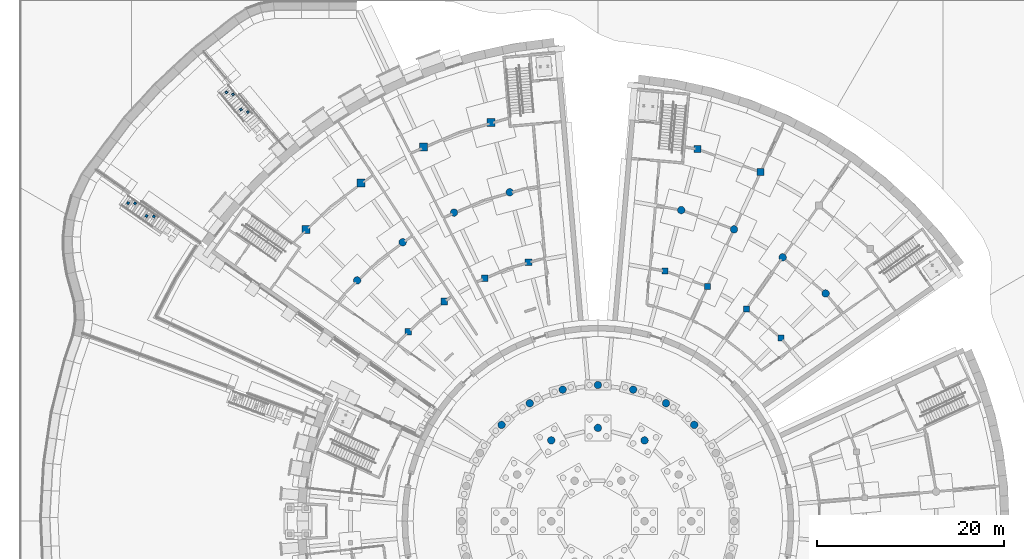
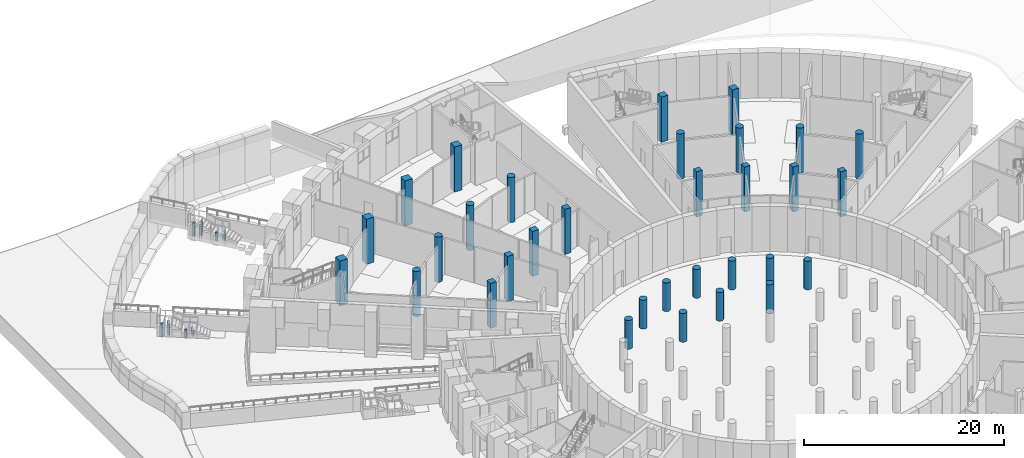
# One storey, part 10 of 65: 40 columns.
"""IFC4 building model written with IfcOpenShell, lengths in metres."""

from ifc_helpers import new_model, si_unit, direction, frame, origin, origin_2d, place, context, subcontext, project, spatial, rectangle, circle, extrude, material, material_profile, profile_set, type_object, element, save


model = new_model("IFC4")

# Units and contexts
model_context = context("Model", 3, precision=1e-05, world=origin(), true_north=direction((0.0, 1.0)))
body_context = subcontext(model_context, "Body", "Model", "MODEL_VIEW")
ifc_project = project(units=[si_unit("LENGTHUNIT", "METRE"), si_unit("AREAUNIT", "SQUARE_METRE"), si_unit("VOLUMEUNIT", "CUBIC_METRE"), si_unit("PLANEANGLEUNIT", "RADIAN"), si_unit("MASSUNIT", "GRAM", prefix="KILO")], contexts=[model_context])

# Site, building, storey
site_placement = place(None, origin())
site = spatial("IfcSite", under=ifc_project, at=site_placement, CompositionType="ELEMENT")
building_placement = place(site_placement, origin())
building = spatial("IfcBuilding", under=site, at=building_placement, Name="Volute Hill Aquarium", CompositionType="ELEMENT")
storey_placement = place(building_placement, frame((0.0, 0.0, -5.5)))
storey = spatial("IfcBuildingStorey", under=building, at=storey_placement, Name="L00", CompositionType="ELEMENT", Elevation=-5.5)

# Columns
ifc_material_1 = material(Name="Concrete C35/45", Category="concrete")
ifc_material_profile_1 = material_profile(ifc_material_1, rectangle(XDim=0.64990234375, YDim=0.64990234375, at=origin_2d()), Name="RC column 650x650")
ifc_profile_set_1 = profile_set([ifc_material_profile_1], Name="Concrete C35/45")
column_type_1 = type_object("IfcColumnType", Name="Column column 650x650 C35/45", PredefinedType="COLUMN", material=ifc_profile_set_1)
for number, where, z_axis, x_axis, name in (
    (1, (19.631103515625, 19.631103515625, 0.0), (0.0, 0.0, 1.0), (1.0, 0.0, 0.0), "col/S5/L00/1.1"),
    (2, (15.923828125, 22.74169921875, 0.0), (0.0, 0.0, 1.0), (1.0, 0.0, 0.0), "col/S5/L00/1.2"),
    (3, (11.73291015625, 25.161376953125, 0.0), (0.0, 0.0, 1.0), (1.0, 0.0, 0.0), "col/S5/L00/1.3"),
    (4, (7.185546875, 26.81640625, 0.0), (0.0, 0.0, 1.0), (1.0, 0.0, 0.0), "col/S5/L00/1.4"),
):
    element("IfcColumn", number, at=place(storey_placement, frame(where, z_axis=z_axis, x_axis=x_axis)), inside=storey, type_object=column_type_1, Name=name, PredefinedType="COLUMN", context=body_context, shape_type="SweptSolid", body=[
        extrude(rectangle(XDim=0.64990234375, YDim=0.64990234375, at=origin_2d()), origin(), (0.0, 0.0, 1.0), 5.5),
    ])
ifc_material_2 = material(Name="Concrete C35/45", Category="concrete")
ifc_material_profile_2 = material_profile(ifc_material_2, rectangle(XDim=0.699951171875, YDim=0.699951171875, at=origin_2d()), Name="RC column 700x700")
ifc_profile_set_2 = profile_set([ifc_material_profile_2], Name="Concrete C35/45")
column_type_2 = type_object("IfcColumnType", Name="Column column 700x700 C35/45", PredefinedType="COLUMN", material=ifc_profile_set_2)
for number, where, z_axis, x_axis, name in (
    (5, (-7.44091796875, 27.7705078125, 0.0), (0.0, 0.0, 1.0), (1.0, 0.0, 0.0), "col/S6/L00/1.1"),
    (6, (-12.150390625, 26.056396484375, 0.0), (0.0, 0.0, 1.0), (1.0, 0.0, 0.0), "col/S6/L00/1.2"),
    (7, (-16.490234375, 23.550537109375, 0.0), (0.0, 0.0, 1.0), (1.0, 0.0, 0.0), "col/S6/L00/1.3"),
    (8, (-20.329345703125, 20.329345703125, 0.0), (0.0, 0.0, 1.0), (1.0, 0.0, 0.0), "col/S6/L00/1.4"),
):
    element("IfcColumn", number, at=place(storey_placement, frame(where, z_axis=z_axis, x_axis=x_axis)), inside=storey, type_object=column_type_2, Name=name, PredefinedType="COLUMN", context=body_context, shape_type="SweptSolid", body=[
        extrude(rectangle(XDim=0.699951171875, YDim=0.699951171875, at=origin_2d()), origin(), (0.0, 0.0, 1.0), 5.5),
    ])
ifc_material_3 = material(Name="Concrete C35/45", Category="concrete")
ifc_material_profile_3 = material_profile(ifc_material_3, rectangle(XDim=0.75, YDim=0.75, at=origin_2d()), Name="RC column 750x750")
ifc_profile_set_3 = profile_set([ifc_material_profile_3], Name="Concrete C35/45")
column_type_3 = type_object("IfcColumnType", Name="Column column 750x750 C35/45", PredefinedType="COLUMN", material=ifc_profile_set_3)
for number, where, z_axis, x_axis, name in (
    (9, (17.448974609375, 37.419189453125, 0.0), (0.0, 0.0, 1.0), (1.0, 0.0, 0.0), "col/S5/L00/3.3"),
    (10, (10.68603515625, 39.880615234375, 0.0), (0.0, 0.0, 1.0), (1.0, 0.0, 0.0), "col/S5/L00/3.4"),
):
    element("IfcColumn", number, at=place(storey_placement, frame(where, z_axis=z_axis, x_axis=x_axis)), inside=storey, type_object=column_type_3, Name=name, PredefinedType="COLUMN", context=body_context, shape_type="SweptSolid", body=[
        extrude(rectangle(XDim=0.75, YDim=0.75, at=origin_2d()), origin(), (0.0, 0.0, 1.0), 5.5),
    ])
ifc_material_4 = material(Name="Concrete C35/45", Category="concrete")
ifc_material_profile_4 = material_profile(ifc_material_4, rectangle(XDim=0.85009765625, YDim=0.85009765625, at=origin_2d()), Name="RC column 850x850")
ifc_profile_set_4 = profile_set([ifc_material_profile_4], Name="Concrete C35/45")
column_type_4 = type_object("IfcColumnType", Name="Column column 850x850 C35/45", PredefinedType="COLUMN", material=ifc_profile_set_4)
for number, where, z_axis, x_axis, name in (
    (11, (-11.45263671875, 42.7421875, 0.0), (0.0, 0.0, 1.0), (1.0, 0.0, 0.0), "col/S6/L00/3.1"),
    (12, (-18.700927734375, 40.10400390625, 0.0), (0.0, 0.0, 1.0), (1.0, 0.0, 0.0), "col/S6/L00/3.2"),
    (13, (-25.380859375, 36.24755859375, 0.0), (0.0, 0.0, 1.0), (1.0, 0.0, 0.0), "col/S6/L00/3.3"),
    (14, (-31.28955078125, 31.28955078125, 0.0), (0.0, 0.0, 1.0), (1.0, 0.0, 0.0), "col/S6/L00/3.4"),
):
    element("IfcColumn", number, at=place(storey_placement, frame(where, z_axis=z_axis, x_axis=x_axis)), inside=storey, type_object=column_type_4, Name=name, PredefinedType="COLUMN", context=body_context, shape_type="SweptSolid", body=[
        extrude(rectangle(XDim=0.85009765625, YDim=0.85009765625, at=origin_2d()), origin(), (0.0, 0.0, 1.0), 5.5),
    ])
ifc_material_5 = material(Name="Concrete C35/45", Category="concrete")
ifc_material_profile_5 = material_profile(ifc_material_5, circle(Radius=0.39990234375, at=origin_2d()), Name="RC round column D800")
ifc_profile_set_5 = profile_set([ifc_material_profile_5], Name="Concrete C35/45")
column_type_5 = type_object("IfcColumnType", Name="Column round column D800 C35/45", PredefinedType="COLUMN", material=ifc_profile_set_5)
for number, where, z_axis, x_axis, name in (
    (15, (24.412841796875, 24.412841796875, 0.0), (0.0, 0.0, 1.0), (1.0, 0.0, 0.0), "col/S5/L00/2.1"),
    (16, (19.802734375, 28.28125, 0.0), (0.0, 0.0, 1.0), (1.0, 0.0, 0.0), "col/S5/L00/2.2"),
    (17, (14.5908203125, 31.290283203125, 0.0), (0.0, 0.0, 1.0), (1.0, 0.0, 0.0), "col/S5/L00/2.3"),
    (18, (8.935791015625, 33.3486328125, 0.0), (0.0, 0.0, 1.0), (1.0, 0.0, 0.0), "col/S5/L00/2.4"),
    (19, (-9.447021484375, 35.25634765625, 0.0), (0.0, 0.0, 1.0), (1.0, 0.0, 0.0), "col/S6/L00/2.1"),
    (20, (-15.425537109375, 33.080078125, 0.0), (0.0, 0.0, 1.0), (1.0, 0.0, 0.0), "col/S6/L00/2.2"),
    (21, (-20.935546875, 29.89892578125, 0.0), (0.0, 0.0, 1.0), (1.0, 0.0, 0.0), "col/S6/L00/2.3"),
    (22, (-25.809326171875, 25.809326171875, 0.0), (0.0, 0.0, 1.0), (1.0, 0.0, 0.0), "col/S6/L00/2.4"),
):
    element("IfcColumn", number, at=place(storey_placement, frame(where, z_axis=z_axis, x_axis=x_axis)), inside=storey, type_object=column_type_5, Name=name, PredefinedType="COLUMN", context=body_context, shape_type="SweptSolid", body=[
        extrude(circle(Radius=0.39990234375, at=origin_2d()), origin(), (0.0, 0.0, 1.0), 5.5),
    ])
ifc_material_6 = material(Name="Concrete C30/37", Category="concrete")
ifc_material_profile_6 = material_profile(ifc_material_6, rectangle(XDim=0.25, YDim=0.25, at=origin_2d()), Name="RC pier 250x250")
ifc_profile_set_6 = profile_set([ifc_material_profile_6], Name="Concrete C30/37")
column_type_6 = type_object("IfcColumnType", Name="Stair landing pier RC 250x250 C30/37", PredefinedType="COLUMN", material=ifc_profile_set_6)
for number, where, z_axis, x_axis, name in (
    (23, (-47.60498046875, 32.662109375, 0.875), (0.0, 0.0, 1.0), (-0.819152044289, 0.573576436351, 0.0), "col/ST145/L00/q0"),
    (24, (-48.387451171875, 32.7216796875, 0.875), (0.0, 0.0, 1.0), (-0.819152044289, 0.573576436351, 0.0), "col/ST145/L00/q1"),
):
    element("IfcColumn", number, at=place(storey_placement, frame(where, z_axis=z_axis, x_axis=x_axis)), inside=storey, type_object=column_type_6, Name=name, PredefinedType="COLUMN", context=body_context, shape_type="SweptSolid", body=[
        extrude(rectangle(XDim=0.25, YDim=0.25, at=origin_2d()), origin(), (0.0, 0.0, 1.0), 1.06494140625),
    ])
for number, where, z_axis, x_axis, name in (
    (25, (-49.6201171875, 34.072998046875, 0.875), (0.0, 0.0, 1.0), (-0.819152044289, 0.573576436351, 0.0), "col/ST145/L00/q2"),
    (26, (-50.357421875, 34.100830078125, 0.875), (0.0, 0.0, 1.0), (-0.819152044289, 0.573576436351, 0.0), "col/ST145/L00/q3"),
):
    element("IfcColumn", number, at=place(storey_placement, frame(where, z_axis=z_axis, x_axis=x_axis)), inside=storey, type_object=column_type_6, Name=name, PredefinedType="COLUMN", context=body_context, shape_type="SweptSolid", body=[
        extrude(rectangle(XDim=0.25, YDim=0.25, at=origin_2d()), origin(), (0.0, 0.0, 1.0), 1.676025390625),
    ])
for number, where, z_axis, x_axis, name in (
    (27, (-37.529296875, 43.8701171875, 2.25), (0.0, 0.0, 1.0), (-0.642787609687, 0.766044443119, 0.0), "col/ST130/L00/q0"),
    (28, (-38.269775390625, 44.130126953125, 2.25), (0.0, 0.0, 1.0), (-0.642787609687, 0.766044443119, 0.0), "col/ST130/L00/q1"),
):
    element("IfcColumn", number, at=place(storey_placement, frame(where, z_axis=z_axis, x_axis=x_axis)), inside=storey, type_object=column_type_6, Name=name, PredefinedType="COLUMN", context=body_context, shape_type="SweptSolid", body=[
        extrude(rectangle(XDim=0.25, YDim=0.25, at=origin_2d()), origin(), (0.0, 0.0, 1.0), 1.06494140625),
    ])
for number, where, z_axis, x_axis, name in (
    (29, (-39.110595703125, 45.754638671875, 2.25), (0.0, 0.0, 1.0), (-0.642787609687, 0.766044443119, 0.0), "col/ST130/L00/q2"),
    (30, (-39.815673828125, 45.972412109375, 2.25), (0.0, 0.0, 1.0), (-0.642787609687, 0.766044443119, 0.0), "col/ST130/L00/q3"),
):
    element("IfcColumn", number, at=place(storey_placement, frame(where, z_axis=z_axis, x_axis=x_axis)), inside=storey, type_object=column_type_6, Name=name, PredefinedType="COLUMN", context=body_context, shape_type="SweptSolid", body=[
        extrude(rectangle(XDim=0.25, YDim=0.25, at=origin_2d()), origin(), (0.0, 0.0, 1.0), 1.676025390625),
    ])
ifc_material_7 = material(Name="Concrete C40/50", Category="concrete")
ifc_material_profile_7 = material_profile(ifc_material_7, circle(Radius=0.39990234375, at=origin_2d()), Name="RC round column D800")
ifc_profile_set_7 = profile_set([ifc_material_profile_7], Name="Concrete C40/50")
column_type_7 = type_object("IfcColumnType", Name="Tank support column RC D800", PredefinedType="COLUMN", material=ifc_profile_set_7)
for number, where, z_axis, x_axis, name in (
    (31, (5.0, 8.660400390625, 0.0), (0.0, 0.0, 1.0), (1.0, 0.0, 0.0), "col/TK/L00/2.2"),
    (32, (0.0, 10.0, 0.0), (0.0, 0.0, 1.0), (1.0, 0.0, 0.0), "col/TK/L00/2.3"),
    (33, (-5.0, 8.660400390625, 0.0), (0.0, 0.0, 1.0), (1.0, 0.0, 0.0), "col/TK/L00/2.4"),
    (34, (10.32373046875, 10.32373046875, 0.0), (0.0, 0.0, 1.0), (1.0, 0.0, 0.0), "col/TK/L00/3.3"),
    (35, (7.300048828125, 12.64404296875, 0.0), (0.0, 0.0, 1.0), (1.0, 0.0, 0.0), "col/TK/L00/3.4"),
    (36, (3.77880859375, 14.1025390625, 0.0), (0.0, 0.0, 1.0), (1.0, 0.0, 0.0), "col/TK/L00/3.5"),
    (37, (0.0, 14.60009765625, 0.0), (0.0, 0.0, 1.0), (1.0, 0.0, 0.0), "col/TK/L00/3.6"),
    (38, (-3.77880859375, 14.1025390625, 0.0), (0.0, 0.0, 1.0), (1.0, 0.0, 0.0), "col/TK/L00/3.7"),
    (39, (-7.300048828125, 12.64404296875, 0.0), (0.0, 0.0, 1.0), (1.0, 0.0, 0.0), "col/TK/L00/3.8"),
    (40, (-10.32373046875, 10.32373046875, 0.0), (0.0, 0.0, 1.0), (1.0, 0.0, 0.0), "col/TK/L00/3.9"),
):
    element("IfcColumn", number, at=place(storey_placement, frame(where, z_axis=z_axis, x_axis=x_axis)), inside=storey, type_object=column_type_7, Name=name, PredefinedType="COLUMN", context=body_context, shape_type="SweptSolid", body=[
        extrude(circle(Radius=0.39990234375, at=origin_2d()), origin(), (0.0, 0.0, 1.0), 3.5),
    ])

save(model, "model.ifc")
